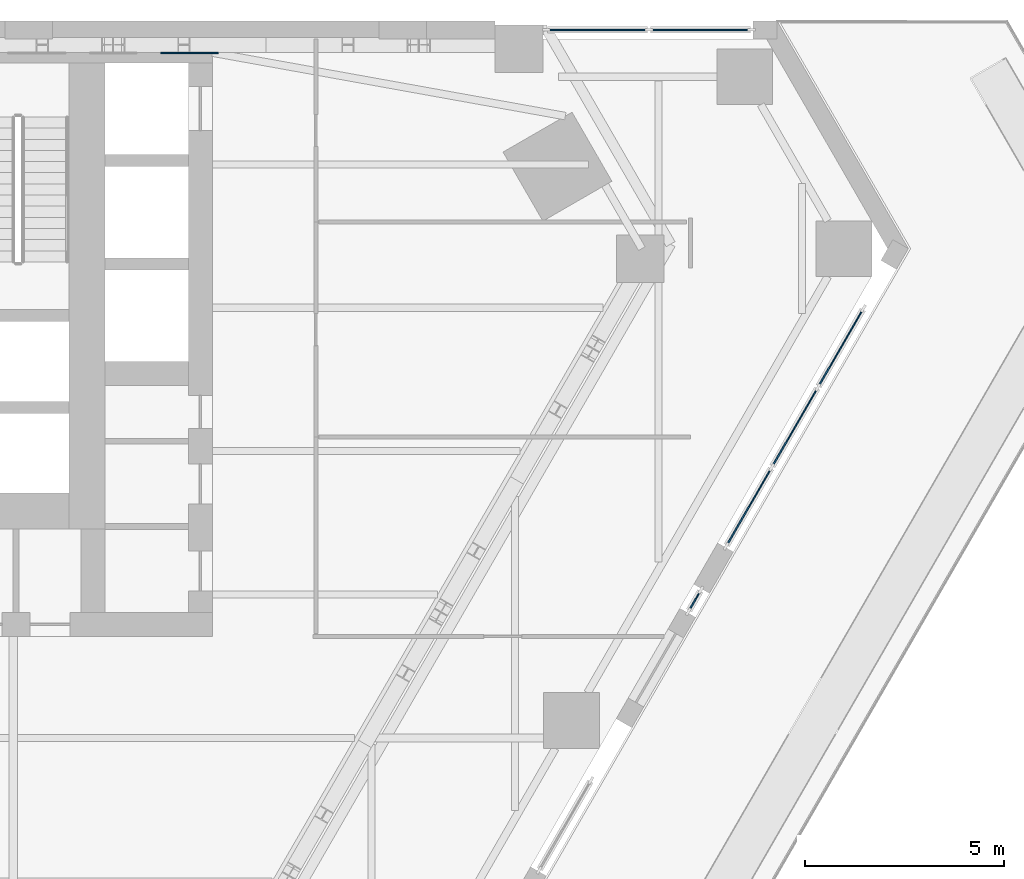
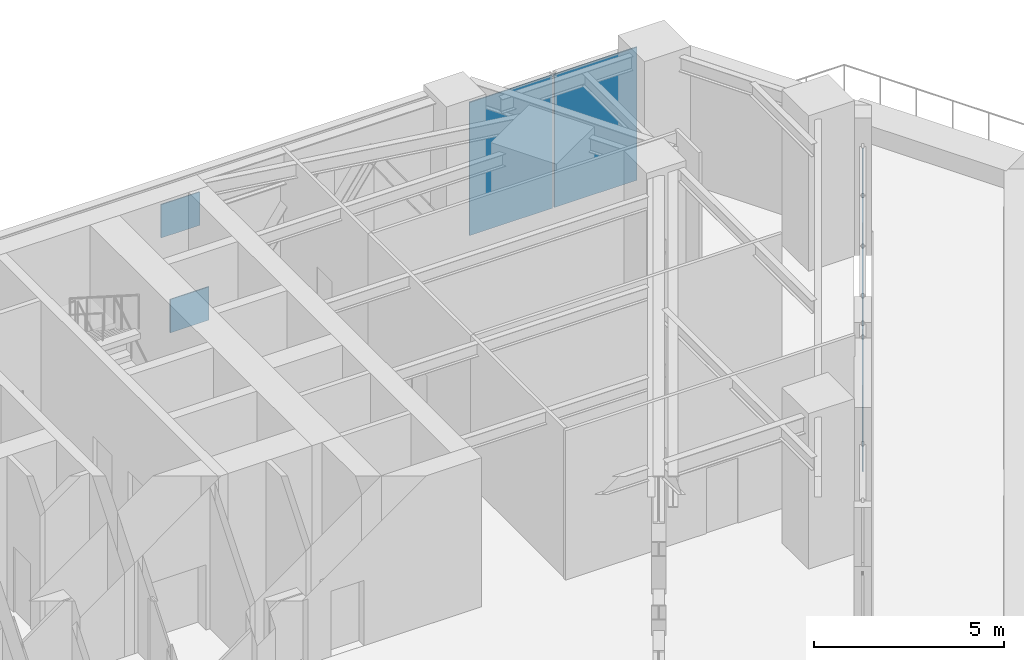
# One storey, part 16 of 25: 8 plates, 3 elements without a shape of their own.
"""IFC4 building model written with IfcOpenShell, lengths in metres."""

from ifc_helpers import new_model, si_unit, direction, frame, origin, origin_2d, place, context, subcontext, project, spatial, polyline, rectangle, outline, extrude, material, layer, layer_set, type_object, element, aggregate, save


model = new_model("IFC4")

# Units and contexts
model_context = context("Model", 3, precision=1e-05, world=origin(), true_north=direction((0.0, 1.0)))
body_context = subcontext(model_context, "Body", "Model", "MODEL_VIEW")
ifc_project = project(units=[si_unit("LENGTHUNIT", "METRE"), si_unit("AREAUNIT", "SQUARE_METRE"), si_unit("VOLUMEUNIT", "CUBIC_METRE"), si_unit("PLANEANGLEUNIT", "RADIAN"), si_unit("MASSUNIT", "GRAM", prefix="KILO")], contexts=[model_context])

# Site, building, storey
site_placement = place(None, origin())
site = spatial("IfcSite", under=ifc_project, at=site_placement, CompositionType="ELEMENT")
building_placement = place(site_placement, origin())
building = spatial("IfcBuilding", under=site, at=building_placement, Name="Aloe Facet Convention Tower", CompositionType="ELEMENT")
storey_placement = place(building_placement, frame((0.0, 0.0, 30.0)))
storey = spatial("IfcBuildingStorey", under=building, at=storey_placement, Name="L05", CompositionType="ELEMENT", Elevation=30.0)

# Curtain wall, plates
ifc_material_1 = material(Name="Aluminium, anodised", Category="aluminium")
curtain_wall_type = type_object("IfcCurtainWallType", Name="EV-CW-HALL", PredefinedType="USERDEFINED", material=ifc_material_1)
curtain_wall_1_placement = place(storey_placement, origin())
curtain_wall_1 = element("IfcCurtainWall", 1, at=curtain_wall_1_placement, inside=storey, type_object=curtain_wall_type, Name="CW-L05-N02", ObjectType="UNITISED HALL GLAZING", PredefinedType="USERDEFINED")
ifc_material_2 = material(Name="Clear double glazing", Category="glass")
ifc_layer_1 = layer(ifc_material_2, 0.035888671875)
ifc_layer_set_1 = layer_set([ifc_layer_1], Name="EV-PANEL-HALL")
plate_type_1 = type_object("IfcPlateType", Name="EV-PANEL-HALL", PredefinedType="CURTAIN_PANEL", material=ifc_layer_set_1)
plate_1_placement = place(storey_placement, frame((106.25146484375, 134.77490234375, -0.23486328125), z_axis=(0.0, 0.0, 1.0), x_axis=(-1.0, 0.0, 0.0)))
plate_1 = element("IfcPlate", 2, at=plate_1_placement, type_object=plate_type_1, Name="CW-L05-N02 panel 1.1", PredefinedType="CURTAIN_PANEL", context=body_context, shape_type="SweptSolid", body=[
    extrude(rectangle(XDim=2.51416015625, YDim=0.035888671875, at=origin_2d()), origin(), (0.0, 0.0, 1.0), 4.282470703125),
])
plate_2_placement = place(storey_placement, frame((103.672119140625, 134.77490234375, -0.23486328125), z_axis=(0.0, 0.0, 1.0), x_axis=(-1.0, 0.0, 0.0)))
plate_2 = element("IfcPlate", 3, at=plate_2_placement, type_object=plate_type_1, Name="CW-L05-N02 panel 2.1", PredefinedType="CURTAIN_PANEL", context=body_context, shape_type="SweptSolid", body=[
    extrude(rectangle(XDim=2.51416015625, YDim=0.035888671875, at=origin_2d()), origin(), (0.0, 0.0, 1.0), 4.282470703125),
])
aggregate(curtain_wall_1, [plate_1, plate_2])

# Curtain wall, plate
curtain_wall_2_placement = place(storey_placement, origin())
curtain_wall_2 = element("IfcCurtainWall", 4, at=curtain_wall_2_placement, inside=storey, type_object=curtain_wall_type, Name="CW-L05-E10B", ObjectType="UNITISED HALL GLAZING", PredefinedType="USERDEFINED")
plate_3_placement = place(storey_placement, frame((106.109130859375, 120.44287109375, -0.23486328125), z_axis=(0.0, 0.0, 1.0), x_axis=(0.500000000423, 0.86602540354, 0.0)))
plate_3 = element("IfcPlate", 5, at=plate_3_placement, type_object=plate_type_1, Name="CW-L05-E10B panel 1.1", PredefinedType="CURTAIN_PANEL", context=body_context, shape_type="SweptSolid", body=[
    extrude(rectangle(XDim=0.565673828125, YDim=0.035888671875, at=origin_2d()), origin(), (0.0, 0.0, 1.0), 4.282470703125),
])
aggregate(curtain_wall_2, [plate_3])

# Curtain wall, plates
curtain_wall_3_placement = place(storey_placement, origin())
curtain_wall_3 = element("IfcCurtainWall", 6, at=curtain_wall_3_placement, inside=storey, type_object=curtain_wall_type, Name="CW-L05-E12", ObjectType="UNITISED HALL GLAZING", PredefinedType="USERDEFINED")
plate_4_placement = place(storey_placement, frame((107.470947265625, 122.8017578125, -0.23486328125), z_axis=(0.0, 0.0, 1.0), x_axis=(0.500000000076, 0.866025403741, 0.0)))
plate_4 = element("IfcPlate", 7, at=plate_4_placement, type_object=plate_type_1, Name="CW-L05-E12 panel 1.1", PredefinedType="CURTAIN_PANEL", context=body_context, shape_type="SweptSolid", body=[
    extrude(rectangle(XDim=2.221923828125, YDim=0.035888671875, at=origin_2d()), origin(), (0.0, 0.0, 1.0), 4.282470703125),
])
plate_5_placement = place(storey_placement, frame((108.62255859375, 124.79638671875, -0.23486328125), z_axis=(0.0, 0.0, 1.0), x_axis=(0.500000000076, 0.866025403741, 0.0)))
plate_5 = element("IfcPlate", 8, at=plate_5_placement, type_object=plate_type_1, Name="CW-L05-E12 panel 2.1", PredefinedType="CURTAIN_PANEL", context=body_context, shape_type="SweptSolid", body=[
    extrude(rectangle(XDim=2.25439453125, YDim=0.035888671875, at=origin_2d()), origin(), (0.0, 0.0, 1.0), 4.282470703125),
])
plate_6_placement = place(storey_placement, frame((109.774169921875, 126.791015625, -0.23486328125), z_axis=(0.0, 0.0, 1.0), x_axis=(0.500000000076, 0.866025403741, 0.0)))
plate_6 = element("IfcPlate", 9, at=plate_6_placement, type_object=plate_type_1, Name="CW-L05-E12 panel 3.1", PredefinedType="CURTAIN_PANEL", context=body_context, shape_type="SweptSolid", body=[
    extrude(rectangle(XDim=2.221923828125, YDim=0.035888671875, at=origin_2d()), origin(), (0.0, 0.0, 1.0), 4.282470703125),
])
aggregate(curtain_wall_3, [plate_4, plate_5, plate_6])

# Plates
ifc_material_3 = material(Name="Steel S355", Category="steel")
ifc_layer_2 = layer(ifc_material_3, 0.030029296875)
ifc_layer_set_2 = layer_set([ifc_layer_2], Name="STW-CORE END PLATE")
plate_type_2 = type_object("IfcPlateType", Name="STW-CORE END PLATE", PredefinedType="SHEET", material=ifc_layer_set_2)
plate_7_placement = place(storey_placement, frame((93.875, 134.212646484375, 3.436767578125), z_axis=(0.0, 1.0, 0.0), x_axis=(-1.0, 0.0, 0.0)))
element("IfcPlate", 10, at=plate_7_placement, inside=storey, type_object=plate_type_2, Name="Cast-in plate CP-F1-01", PredefinedType="SHEET", context=body_context, shape_type="SweptSolid", body=[
    extrude(outline(polyline([(0.0, 0.0), (1.174560546875, 0.0), (1.174560546875, 1.074462890625), (0.0, 1.074462890625), (0.0, 0.0)])), origin(), (0.0, 0.0, -1.0), 0.030029296875),
])
plate_8_placement = place(storey_placement, frame((94.154296875, 134.212646484375, 0.288818359375), z_axis=(0.0, 1.0, 0.0), x_axis=(-1.0, 0.0, 0.0)))
element("IfcPlate", 11, at=plate_8_placement, inside=storey, type_object=plate_type_2, Name="Cast-in plate CP-F1-02", PredefinedType="SHEET", context=body_context, shape_type="SweptSolid", body=[
    extrude(outline(polyline([(0.0, 0.0), (1.1748046875, 0.0), (1.1748046875, 1.074462890625), (0.0, 1.074462890625), (0.0, 0.0)])), origin(), (0.0, 0.0, -1.0), 0.030029296875),
])

save(model, "model.ifc")
